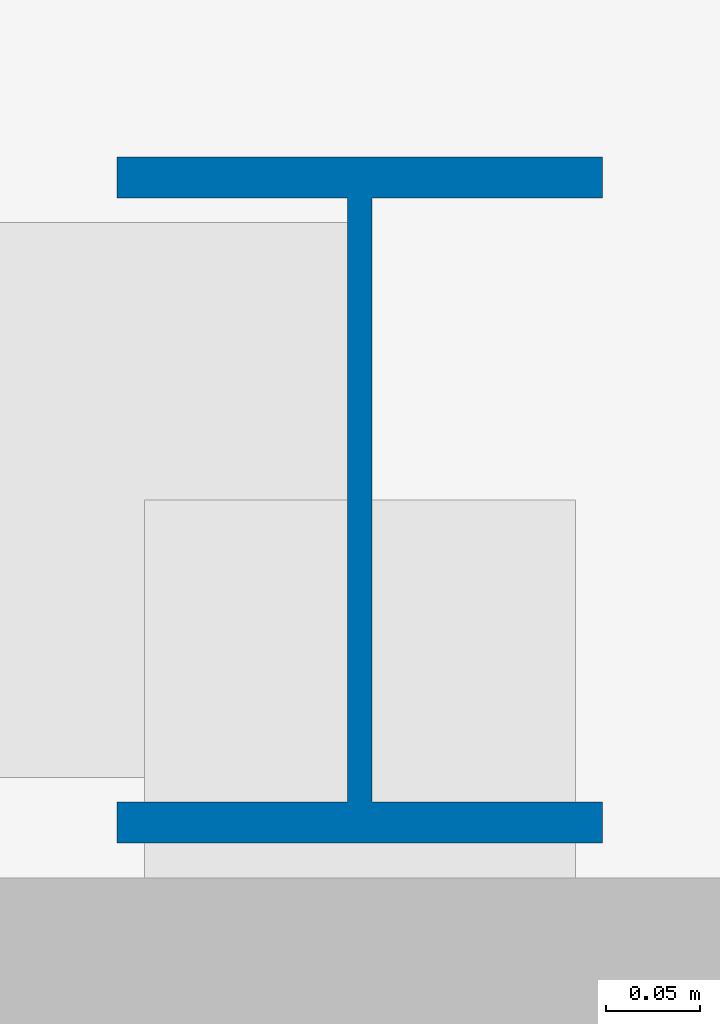
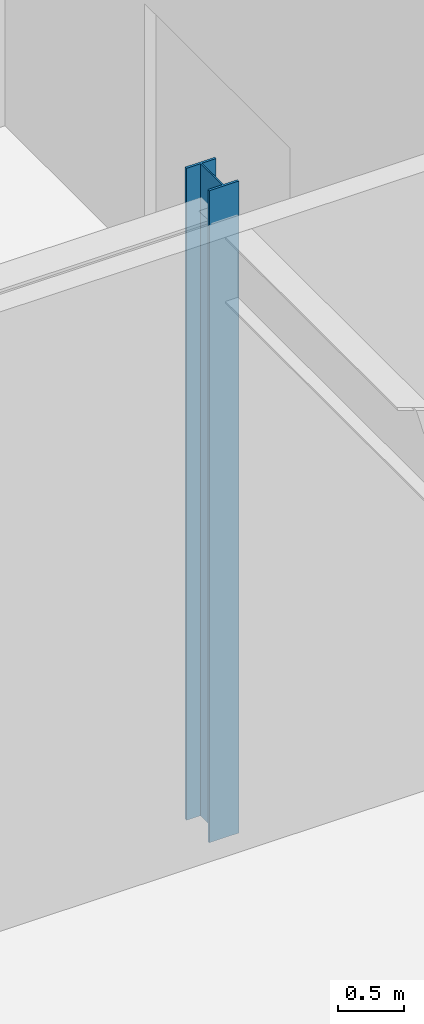
# One storey, part 6 of 25: 1 column.
"""IFC4 building model written with IfcOpenShell, lengths in metres."""

from ifc_helpers import new_model, si_unit, derived_unit, direction, frame, origin, origin_2d, place, context, subcontext, project, spatial, i_section, extrude, source, transform, mapped, material, material_profile, profile_set, type_object, element, save


model = new_model("IFC4")

# Units and contexts
model_context = context("Model", 3, precision=1e-05, world=origin(), true_north=direction((0.0, 1.0)))
body_context = subcontext(model_context, "Body", "Model", "MODEL_VIEW")
ifc_project = project(units=[si_unit("LENGTHUNIT", "METRE"), si_unit("AREAUNIT", "SQUARE_METRE"), si_unit("VOLUMEUNIT", "CUBIC_METRE"), si_unit("PLANEANGLEUNIT", "RADIAN"), si_unit("MASSUNIT", "GRAM", prefix="KILO"), derived_unit("THERMALTRANSMITTANCEUNIT", [(si_unit("POWERUNIT", "WATT"), 1), (si_unit("LENGTHUNIT", "METRE"), -2), (si_unit("THERMODYNAMICTEMPERATUREUNIT", "KELVIN"), -1)])], contexts=[model_context])

# Site, building, storey
site_placement = place(None, origin())
site = spatial("IfcSite", under=ifc_project, at=site_placement, CompositionType="ELEMENT")
building_placement = place(site_placement, origin())
building = spatial("IfcBuilding", under=site, at=building_placement, Name="Skarnbrae Concourse Arena and Tower", CompositionType="ELEMENT")
storey_placement = place(building_placement, origin())
storey = spatial("IfcBuildingStorey", under=building, at=storey_placement, Name="L00", CompositionType="ELEMENT", Elevation=0.0)

# Column
ifc_material = material(Name="Steel CSA G40.21 350W", Category="steel")
ifc_material_profile = material_profile(ifc_material, i_section(OverallWidth=0.257080078125, OverallDepth=0.363037109375, WebThickness=0.012939453125, FlangeThickness=0.021728515625, at=origin_2d()), Name="W360X122")
ifc_profile_set = profile_set([ifc_material_profile], Name="Steel CSA G40.21 350W")
column_type = type_object("IfcColumnType", Name="COL-POD-W360X122", PredefinedType="COLUMN", material=ifc_profile_set)
shared_shape = source(origin(), body_context, "Body", "SweptSolid", [
    extrude(i_section(OverallWidth=0.257080078125, OverallDepth=0.363037109375, WebThickness=0.012939453125, FlangeThickness=0.021728515625, at=origin_2d()), origin(), (0.0, 0.0, 1.0), 6.0),
])
column_placement = place(storey_placement, frame((78.5, 47.0, 0.0), z_axis=(0.0, 0.0, 1.0), x_axis=(1.0, 0.0, 0.0)))
element("IfcColumn", 1, at=column_placement, inside=storey, type_object=column_type, Name="L00 Podium mega-column PC-EP4", PredefinedType="COLUMN", context=body_context, shape_type="MappedRepresentation", body=[
    mapped(shared_shape, transform((0.0, 0.0, 0.0))),
])

save(model, "model.ifc")
